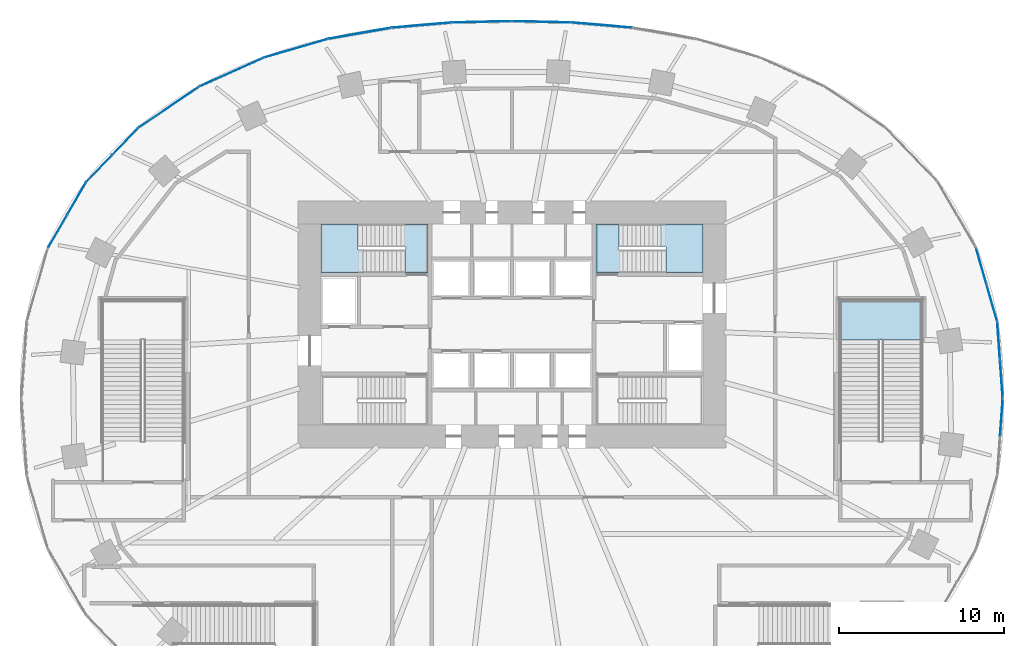
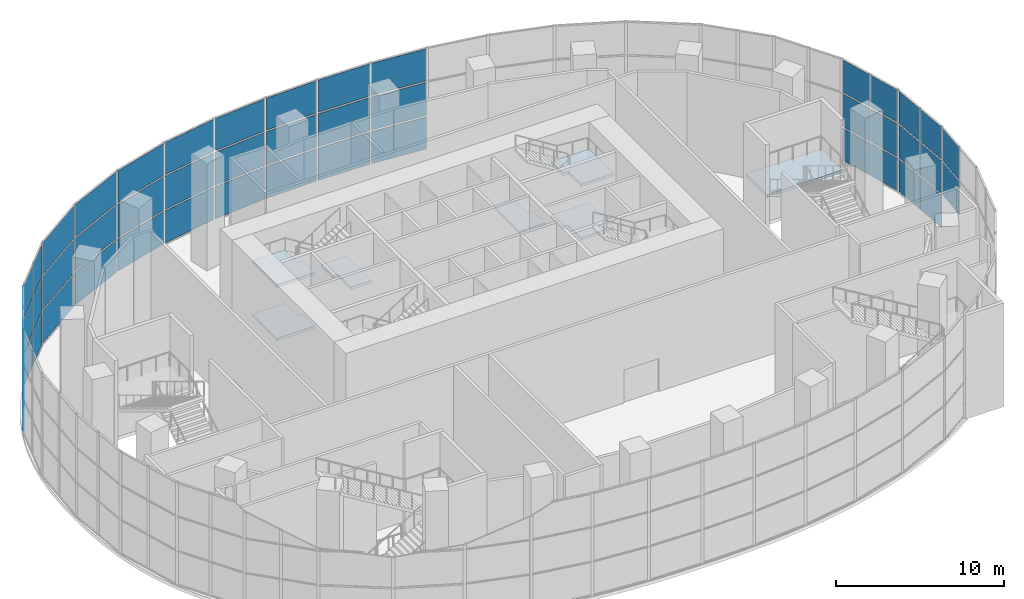
# One storey, part 12 of 22: 50 plates, 7 slabs, 16 elements without a shape of their own.
"""IFC4 building model written with IfcOpenShell, lengths in metres."""

import ifcopenshell
import ifcopenshell.guid

model = None  # the IFC model being written
_history = None  # IfcOwnerHistory: only IFC2X3 demands one
_inside = {}  # id of a spatial element -> (the spatial element, [elements in it])
_under = {}  # id of a project, library or spatial element -> (it, [spatial elements below it])
_declared = {}  # id of a project -> (the project, [libraries it declares])
_typed = {}  # id of a type object -> (the type object, [elements of that type])
_made_of = {}  # id of a material, layer set ... -> (it, [elements and type objects made of it])


def new_model(schema):
    """Start an empty IFC model of exactly this schema.

    Asked for "IFC4X3", IfcOpenShell would pick the latest addendum, in which some entities
    have other attributes; the version numbers below select the first issue.
    IFC2X3 requires an IfcOwnerHistory on every rooted entity: one is made here for all.
    """
    global model, _history
    if schema == "IFC4X3":
        model = ifcopenshell.file(schema_version=(4, 3, 0, 0))
    else:
        model = ifcopenshell.file(schema=schema)
    _inside.clear()
    _under.clear()
    _declared.clear()
    _typed.clear()
    _made_of.clear()
    _history = None
    if model.schema == "IFC2X3":
        org = make("IfcOrganization", Name="unknown")
        user = make(
            "IfcPersonAndOrganization",
            ThePerson=make("IfcPerson", FamilyName="unknown"),
            TheOrganization=org,
        )
        app = make(
            "IfcApplication",
            ApplicationDeveloper=org,
            Version="unknown",
            ApplicationFullName="unknown",
            ApplicationIdentifier="unknown",
        )
        _history = make(
            "IfcOwnerHistory",
            OwningUser=user,
            OwningApplication=app,
            ChangeAction="ADDED",
            CreationDate=0,
        )
    return model


def make(cls, **values):
    """One entity of the class cls with the attributes given. An attribute that is None is left unset."""
    return model.create_entity(
        cls, **{name: value for name, value in values.items() if value is not None}
    )


def rooted(cls, **values):
    """An entity with a GlobalId (a new one), such as an element, a storey or a relation."""
    return make(cls, GlobalId=ifcopenshell.guid.new(), OwnerHistory=_history, **values)


def si_unit(unit_type, name, prefix=None):
    """IfcSIUnit, for example si_unit("LENGTHUNIT", "METRE", prefix="MILLI")."""
    return make("IfcSIUnit", UnitType=unit_type, Prefix=prefix, Name=name)


def assignment(units):
    """IfcUnitAssignment: the units of a project."""
    return None if units is None else make("IfcUnitAssignment", Units=units)


def point(xyz):
    """IfcCartesianPoint."""
    return None if xyz is None else make("IfcCartesianPoint", Coordinates=xyz)


def direction(xyz):
    """IfcDirection."""
    return None if xyz is None else make("IfcDirection", DirectionRatios=xyz)


def frame(location, z_axis=None, x_axis=None):
    """IfcAxis2Placement3D, a coordinate frame: its origin and axes. An axis left out is left unset."""
    return make(
        "IfcAxis2Placement3D",
        Location=point(location),
        Axis=direction(z_axis),
        RefDirection=direction(x_axis),
    )


def frame_2d(location, x_axis=None):
    """IfcAxis2Placement2D, a coordinate frame in the plane: its origin and x axis."""
    return make(
        "IfcAxis2Placement2D", Location=point(location), RefDirection=direction(x_axis)
    )


def origin():
    """The frame at (0, 0, 0) with its axes left unset."""
    return frame((0.0, 0.0, 0.0))


def origin_2d():
    """The frame at (0, 0) in the plane with its x axis left unset."""
    return frame_2d((0.0, 0.0))


def place(relative_to, where):
    """IfcLocalPlacement: puts the frame where relative to a parent placement (None: the world)."""
    return make(
        "IfcLocalPlacement", PlacementRelTo=relative_to, RelativePlacement=where
    )


def context(
    kind, dimensions, precision=None, world=None, true_north=None, identifier=None
):
    """IfcGeometricRepresentationContext, for example the 3D "Model" context."""
    return make(
        "IfcGeometricRepresentationContext",
        ContextIdentifier=identifier,
        ContextType=kind,
        CoordinateSpaceDimension=dimensions,
        Precision=precision,
        WorldCoordinateSystem=world,
        TrueNorth=true_north,
    )


def subcontext(parent, identifier, kind, view, scale=None):
    """IfcGeometricRepresentationSubContext, for example "Body" below "Model"."""
    return make(
        "IfcGeometricRepresentationSubContext",
        ContextIdentifier=identifier,
        ContextType=kind,
        ParentContext=parent,
        TargetScale=scale,
        TargetView=view,
    )


def project(units=None, contexts=None):
    """IfcProject with its units and contexts."""
    return rooted(
        "IfcProject",
        Name="project",
        RepresentationContexts=contexts,
        UnitsInContext=assignment(units),
    )


def spatial(cls, under=None, at=None, **own):
    """A site, building, storey or space (cls), placed at a placement, below another one or the project."""
    s = rooted(cls, ObjectPlacement=at, **own)
    if under is not None:
        _under.setdefault(under.id(), (under, []))[1].append(s)
    return s


def polyline(points):
    """IfcPolyline through the points."""
    return make("IfcPolyline", Points=[point(p) for p in points])


def profile(cls, at=None, kind="AREA", **sizes):
    """A parametric profile (cls). Its sizes go by their IFC names, for example OverallWidth=200.0."""
    return make(cls, ProfileType=kind, Position=at, **sizes)


def rectangle(**sizes):
    """IfcRectangleProfileDef."""
    return profile("IfcRectangleProfileDef", **sizes)


def outline(outer, holes=None, kind="AREA"):
    """IfcArbitraryClosedProfileDef: a profile drawn as a closed curve; with holes, ...WithVoids."""
    if holes is None:
        return make("IfcArbitraryClosedProfileDef", ProfileType=kind, OuterCurve=outer)
    return make(
        "IfcArbitraryProfileDefWithVoids",
        ProfileType=kind,
        OuterCurve=outer,
        InnerCurves=holes,
    )


def extrude(swept, where, along, depth):
    """IfcExtrudedAreaSolid: the profile swept, set in the frame where, extruded along a direction by depth."""
    return make(
        "IfcExtrudedAreaSolid",
        SweptArea=swept,
        Position=where,
        ExtrudedDirection=direction(along),
        Depth=depth,
    )


def shape(context_of_items, identifier, shape_type, items):
    """IfcShapeRepresentation: the items that make up one representation, for example the "Body"."""
    return make(
        "IfcShapeRepresentation",
        ContextOfItems=context_of_items,
        RepresentationIdentifier=identifier,
        RepresentationType=shape_type,
        Items=items,
    )


def material(Name=None, Category=None):
    """IfcMaterial."""
    return make("IfcMaterial", Name=Name, Category=Category)


def layer(
    of_material, thickness, ventilated=None, Name=None, Category=None, Priority=None
):
    """IfcMaterialLayer: one layer of a wall or slab, of a material (None: an air gap)."""
    return make(
        "IfcMaterialLayer",
        Material=of_material,
        LayerThickness=thickness,
        IsVentilated=ventilated,
        Name=Name,
        Category=Category,
        Priority=Priority,
    )


def layer_set(layers, Name=None):
    """IfcMaterialLayerSet."""
    return make("IfcMaterialLayerSet", MaterialLayers=layers, LayerSetName=Name)


def made_of(thing, what):
    """Note that an element or type object is made of a material, layer set ...; save() writes the relation."""
    if what is not None:
        _made_of.setdefault(what.id(), (what, []))[1].append(thing)
    return thing


def type_object(cls, material=None, **own):
    """A type object (cls), such as IfcWallType, which elements share."""
    return made_of(rooted(cls, **own), material)


def element(
    cls,
    number,
    at=None,
    inside=None,
    cuts=None,
    type_object=None,
    material=None,
    context=None,
    identifier="Body",
    shape_type=None,
    held_by="IfcProductDefinitionShape",
    body=None,
    shapes=None,
    **own,
):
    """One element of the class cls, such as IfcWall. Its Tag is "e" and its number.

    at: its placement. inside: the storey or other place that contains it. cuts: it is an
    opening in that element (IfcRelVoidsElement). A single representation is given by context,
    identifier, shape_type and body (its items); several are given by shapes. held_by: the class
    of the entity that holds the representations. save() writes the other relations.
    """
    e = rooted(cls, Tag="e%d" % number, ObjectPlacement=at, **own)
    if body is not None:
        shapes = [shape(context, identifier, shape_type, body)]
    if shapes is not None:
        e.Representation = make(held_by, Representations=shapes)
    if inside is not None:
        _inside.setdefault(inside.id(), (inside, []))[1].append(e)
    if cuts is not None:
        rooted(
            "IfcRelVoidsElement", RelatingBuildingElement=cuts, RelatedOpeningElement=e
        )
    if type_object is not None:
        _typed.setdefault(type_object.id(), (type_object, []))[1].append(e)
    return made_of(e, material)


def aggregate(whole, parts):
    """IfcRelAggregates: a whole, such as a stair, and the parts it consists of."""
    return rooted("IfcRelAggregates", RelatingObject=whole, RelatedObjects=parts)


def save(model, path):
    """Write the relations noted so far, then the file.

    IfcRelAggregates (storeys below a building ...), IfcRelContainedInSpatialStructure (elements
    in a storey), IfcRelDefinesByType, IfcRelAssociatesMaterial and IfcRelDeclares: one each for
    every whole, place, type object, material and project.
    """
    for whole, parts in _under.values():
        aggregate(whole, parts)
    for where, things in _inside.values():
        rooted(
            "IfcRelContainedInSpatialStructure",
            RelatedElements=things,
            RelatingStructure=where,
        )
    for kind, things in _typed.values():
        rooted("IfcRelDefinesByType", RelatedObjects=things, RelatingType=kind)
    for what, things in _made_of.values():
        rooted("IfcRelAssociatesMaterial", RelatedObjects=things, RelatingMaterial=what)
    for by, libraries in _declared.values():
        rooted("IfcRelDeclares", RelatingContext=by, RelatedDefinitions=libraries)
    model.write(path)


model = new_model("IFC4")

# Units and contexts
model_context = context("Model", 3, precision=1e-05, world=origin(), true_north=direction((0.0, 1.0)))
body_context = subcontext(model_context, "Body", "Model", "MODEL_VIEW")
ifc_project = project(units=[si_unit("LENGTHUNIT", "METRE"), si_unit("AREAUNIT", "SQUARE_METRE"), si_unit("VOLUMEUNIT", "CUBIC_METRE"), si_unit("PLANEANGLEUNIT", "RADIAN"), si_unit("MASSUNIT", "GRAM", prefix="KILO")], contexts=[model_context])

# Site, building, storey
site_placement = place(None, origin())
site = spatial("IfcSite", under=ifc_project, at=site_placement, CompositionType="ELEMENT")
building_placement = place(site_placement, origin())
building = spatial("IfcBuilding", under=site, at=building_placement, Name="Rubra Terraces Tower", CompositionType="ELEMENT")
storey_placement = place(building_placement, frame((0.0, 0.0, 15.0)))
storey = spatial("IfcBuildingStorey", under=building, at=storey_placement, Name="L02", CompositionType="ELEMENT", Elevation=15.0)

# Stair, slabs
ifc_material_1 = material(Name="Concrete C40", Category="concrete")
stair_type_1 = type_object("IfcStairType", Name="Core stair 1400", PredefinedType="HALF_TURN_STAIR", material=ifc_material_1)
stair_1_placement = place(storey_placement, origin())
stair_1 = element("IfcStair", 1, at=stair_1_placement, inside=storey, type_object=stair_type_1, Name="L02 Exit stair S2", PredefinedType="HALF_TURN_STAIR")
ifc_layer_1 = layer(ifc_material_1, 0.199951171875)
ifc_layer_set_1 = layer_set([ifc_layer_1], Name="Concrete C40")
slab_type_1 = type_object("IfcSlabType", Name="Core stair landing 200", PredefinedType="LANDING", material=ifc_layer_set_1)
slab_1_placement = place(storey_placement, frame((0.0, 0.0, 1.75)))
slab_1 = element("IfcSlab", 2, at=slab_1_placement, type_object=slab_type_1, Name="S2 landing 1", PredefinedType="LANDING", context=body_context, shape_type="SweptSolid", body=[
    extrude(outline(polyline([(-8.97998046875, 9.050048828125), (-8.97998046875, 7.64990234375), (-9.3798828125, 7.64990234375), (-11.60009765625, 7.64990234375), (-11.60009765625, 10.60009765625), (-9.3798828125, 10.60009765625), (-9.360107421875, 10.60009765625), (-9.35791015625, 10.60009765625), (-9.35791015625, 9.199951171875), (-9.360107421875, 9.199951171875), (-9.360107421875, 9.050048828125), (-8.97998046875, 9.050048828125)])), origin(), (0.0, 0.0, 1.0), 0.199951171875),
])
slab_2_placement = place(storey_placement, frame((0.0, 0.0, 3.699951171875)))
slab_2 = element("IfcSlab", 3, at=slab_2_placement, type_object=slab_type_1, Name="S2 landing 2", PredefinedType="LANDING", context=body_context, shape_type="SweptSolid", body=[
    extrude(outline(polyline([(-6.5, 9.050048828125), (-6.5, 9.199951171875), (-6.8798828125, 9.199951171875), (-6.8798828125, 10.60009765625), (-6.5, 10.60009765625), (-6.47998046875, 10.60009765625), (-5.10009765625, 10.60009765625), (-5.10009765625, 7.64990234375), (-6.47998046875, 7.64990234375), (-6.501953125, 7.64990234375), (-6.501953125, 9.050048828125), (-6.5, 9.050048828125)])), origin(), (0.0, 0.0, 1.0), 0.199951171875),
])
slab_3_placement = place(storey_placement, frame((0.0, 0.0, 5.64990234375)))
slab_3 = element("IfcSlab", 4, at=slab_3_placement, type_object=slab_type_1, Name="S2 landing 3", PredefinedType="LANDING", context=body_context, shape_type="SweptSolid", body=[
    extrude(outline(polyline([(-8.97998046875, 9.050048828125), (-8.97998046875, 7.64990234375), (-9.3798828125, 7.64990234375), (-11.60009765625, 7.64990234375), (-11.60009765625, 10.60009765625), (-9.3798828125, 10.60009765625), (-9.360107421875, 10.60009765625), (-9.35791015625, 10.60009765625), (-9.35791015625, 9.199951171875), (-9.360107421875, 9.199951171875), (-9.360107421875, 9.050048828125), (-8.97998046875, 9.050048828125)])), origin(), (0.0, 0.0, 1.0), 0.2001953125),
])
aggregate(stair_1, [slab_1, slab_2, slab_3])

stair_2_placement = place(storey_placement, origin())
stair_2 = element("IfcStair", 5, at=stair_2_placement, inside=storey, type_object=stair_type_1, Name="L02 Exit stair S3", PredefinedType="HALF_TURN_STAIR")
slab_4_placement = place(storey_placement, frame((0.0, 0.0, 1.75)))
slab_4 = element("IfcSlab", 6, at=slab_4_placement, type_object=slab_type_1, Name="S3 landing 1", PredefinedType="LANDING", context=body_context, shape_type="SweptSolid", body=[
    extrude(outline(polyline([(9.360107421875, 9.050048828125), (9.360107421875, 9.199951171875), (8.97998046875, 9.199951171875), (8.97998046875, 10.60009765625), (9.360107421875, 10.60009765625), (9.3798828125, 10.60009765625), (11.60009765625, 10.60009765625), (11.60009765625, 7.64990234375), (9.3798828125, 7.64990234375), (9.35791015625, 7.64990234375), (9.35791015625, 9.050048828125), (9.360107421875, 9.050048828125)])), origin(), (0.0, 0.0, 1.0), 0.199951171875),
])
slab_5_placement = place(storey_placement, frame((0.0, 0.0, 3.699951171875)))
slab_5 = element("IfcSlab", 7, at=slab_5_placement, type_object=slab_type_1, Name="S3 landing 2", PredefinedType="LANDING", context=body_context, shape_type="SweptSolid", body=[
    extrude(outline(polyline([(6.8798828125, 9.050048828125), (6.8798828125, 7.64990234375), (6.47998046875, 7.64990234375), (5.10009765625, 7.64990234375), (5.10009765625, 10.60009765625), (6.47998046875, 10.60009765625), (6.5, 10.60009765625), (6.501953125, 10.60009765625), (6.501953125, 9.199951171875), (6.5, 9.199951171875), (6.5, 9.050048828125), (6.8798828125, 9.050048828125)])), origin(), (0.0, 0.0, 1.0), 0.199951171875),
])
slab_6_placement = place(storey_placement, frame((0.0, 0.0, 5.64990234375)))
slab_6 = element("IfcSlab", 8, at=slab_6_placement, type_object=slab_type_1, Name="S3 landing 3", PredefinedType="LANDING", context=body_context, shape_type="SweptSolid", body=[
    extrude(outline(polyline([(9.360107421875, 9.050048828125), (9.360107421875, 9.199951171875), (8.97998046875, 9.199951171875), (8.97998046875, 10.60009765625), (9.360107421875, 10.60009765625), (9.3798828125, 10.60009765625), (11.60009765625, 10.60009765625), (11.60009765625, 7.64990234375), (9.3798828125, 7.64990234375), (9.35791015625, 7.64990234375), (9.35791015625, 9.050048828125), (9.360107421875, 9.050048828125)])), origin(), (0.0, 0.0, 1.0), 0.2001953125),
])
aggregate(stair_2, [slab_4, slab_5, slab_6])

# Curtain wall, plates
ifc_material_2 = material(Name="Aluminium and glass", Category="aluminium")
curtain_wall_type = type_object("IfcCurtainWallType", Name="Curtain wall Podium glazing", PredefinedType="NOTDEFINED", material=ifc_material_2)
curtain_wall_1_placement = place(storey_placement, origin())
curtain_wall_1 = element("IfcCurtainWall", 9, at=curtain_wall_1_placement, inside=storey, type_object=curtain_wall_type, Name="L02 glazing bay 1", PredefinedType="NOTDEFINED")
ifc_material_3 = material(Name="Clear glass, laminated", Category="glass")
ifc_layer_2 = layer(ifc_material_3, 0.028076171875)
ifc_layer_set_2 = layer_set([ifc_layer_2], Name="Clear glass, laminated")
plate_type = type_object("IfcPlateType", Name="Podium glazing glass panel 28", PredefinedType="CURTAIN_PANEL", material=ifc_layer_set_2)
plate_1_placement = place(storey_placement, frame((29.739990234375, 1.18017578125, 0.1201171875), z_axis=(0.0, 0.0, 1.0), x_axis=(-0.071792057306, 0.997419621076, 0.0)))
plate_1 = element("IfcPlate", 10, at=plate_1_placement, type_object=plate_type, Name="CW1 panel 1.1", PredefinedType="CURTAIN_PANEL", context=body_context, shape_type="SweptSolid", body=[
    extrude(rectangle(XDim=2.257080078125, YDim=0.028076171875, at=origin_2d()), origin(), (0.0, 0.0, 1.0), 2.336669921875),
])
plate_2_placement = place(storey_placement, frame((29.739990234375, 1.18017578125, 2.57666015625), z_axis=(0.0, 0.0, 1.0), x_axis=(-0.071792057306, 0.997419621076, 0.0)))
plate_2 = element("IfcPlate", 11, at=plate_2_placement, type_object=plate_type, Name="CW1 panel 1.2", PredefinedType="CURTAIN_PANEL", context=body_context, shape_type="SweptSolid", body=[
    extrude(rectangle(XDim=2.257080078125, YDim=0.028076171875, at=origin_2d()), origin(), (0.0, 0.0, 1.0), 2.396484375),
])
plate_3_placement = place(storey_placement, frame((29.739990234375, 1.18017578125, 5.09326171875), z_axis=(0.0, 0.0, 1.0), x_axis=(-0.071792057306, 0.997419621076, 0.0)))
plate_3 = element("IfcPlate", 12, at=plate_3_placement, type_object=plate_type, Name="CW1 panel 1.3", PredefinedType="CURTAIN_PANEL", context=body_context, shape_type="SweptSolid", body=[
    extrude(rectangle(XDim=2.257080078125, YDim=0.028076171875, at=origin_2d()), origin(), (0.0, 0.0, 1.0), 2.336669921875),
])
plate_4_placement = place(storey_placement, frame((29.573486328125, 3.4912109375, 0.1201171875), z_axis=(0.0, 0.0, 1.0), x_axis=(-0.071792057306, 0.997419621076, 0.0)))
plate_4 = element("IfcPlate", 13, at=plate_4_placement, type_object=plate_type, Name="CW1 panel 2.1", PredefinedType="CURTAIN_PANEL", context=body_context, shape_type="SweptSolid", body=[
    extrude(rectangle(XDim=2.257080078125, YDim=0.028076171875, at=origin_2d()), origin(), (0.0, 0.0, 1.0), 2.336669921875),
])
plate_5_placement = place(storey_placement, frame((29.573486328125, 3.4912109375, 2.57666015625), z_axis=(0.0, 0.0, 1.0), x_axis=(-0.071792057306, 0.997419621076, 0.0)))
plate_5 = element("IfcPlate", 14, at=plate_5_placement, type_object=plate_type, Name="CW1 panel 2.2", PredefinedType="CURTAIN_PANEL", context=body_context, shape_type="SweptSolid", body=[
    extrude(rectangle(XDim=2.257080078125, YDim=0.028076171875, at=origin_2d()), origin(), (0.0, 0.0, 1.0), 2.396484375),
])
plate_6_placement = place(storey_placement, frame((29.573486328125, 3.4912109375, 5.09326171875), z_axis=(0.0, 0.0, 1.0), x_axis=(-0.071792057306, 0.997419621076, 0.0)))
plate_6 = element("IfcPlate", 15, at=plate_6_placement, type_object=plate_type, Name="CW1 panel 2.3", PredefinedType="CURTAIN_PANEL", context=body_context, shape_type="SweptSolid", body=[
    extrude(rectangle(XDim=2.257080078125, YDim=0.028076171875, at=origin_2d()), origin(), (0.0, 0.0, 1.0), 2.336669921875),
])
aggregate(curtain_wall_1, [plate_1, plate_2, plate_3, plate_4, plate_5, plate_6])

curtain_wall_2_placement = place(storey_placement, origin())
curtain_wall_2 = element("IfcCurtainWall", 16, at=curtain_wall_2_placement, inside=storey, type_object=curtain_wall_type, Name="L02 glazing bay 2", PredefinedType="NOTDEFINED")
plate_7_placement = place(storey_placement, frame((29.1630859375, 5.801513671875, 0.1201171875), z_axis=(0.0, 0.0, 1.0), x_axis=(-0.276383811798, 0.961047339404, 0.0)))
plate_7 = element("IfcPlate", 17, at=plate_7_placement, type_object=plate_type, Name="CW1 panel 1.1", PredefinedType="CURTAIN_PANEL", context=body_context, shape_type="SweptSolid", body=[
    extrude(rectangle(XDim=2.252685546875, YDim=0.028076171875, at=origin_2d()), origin(), (0.0, 0.0, 1.0), 2.336669921875),
])
plate_8_placement = place(storey_placement, frame((29.1630859375, 5.801513671875, 2.57666015625), z_axis=(0.0, 0.0, 1.0), x_axis=(-0.276383811798, 0.961047339404, 0.0)))
plate_8 = element("IfcPlate", 18, at=plate_8_placement, type_object=plate_type, Name="CW1 panel 1.2", PredefinedType="CURTAIN_PANEL", context=body_context, shape_type="SweptSolid", body=[
    extrude(rectangle(XDim=2.252685546875, YDim=0.028076171875, at=origin_2d()), origin(), (0.0, 0.0, 1.0), 2.396484375),
])
plate_9_placement = place(storey_placement, frame((29.1630859375, 5.801513671875, 5.09326171875), z_axis=(0.0, 0.0, 1.0), x_axis=(-0.276383811798, 0.961047339404, 0.0)))
plate_9 = element("IfcPlate", 19, at=plate_9_placement, type_object=plate_type, Name="CW1 panel 1.3", PredefinedType="CURTAIN_PANEL", context=body_context, shape_type="SweptSolid", body=[
    extrude(rectangle(XDim=2.252685546875, YDim=0.028076171875, at=origin_2d()), origin(), (0.0, 0.0, 1.0), 2.336669921875),
])
plate_10_placement = place(storey_placement, frame((28.523681640625, 8.024169921875, 0.1201171875), z_axis=(0.0, 0.0, 1.0), x_axis=(-0.276383811798, 0.961047339404, 0.0)))
plate_10 = element("IfcPlate", 20, at=plate_10_placement, type_object=plate_type, Name="CW1 panel 2.1", PredefinedType="CURTAIN_PANEL", context=body_context, shape_type="SweptSolid", body=[
    extrude(rectangle(XDim=2.252685546875, YDim=0.028076171875, at=origin_2d()), origin(), (0.0, 0.0, 1.0), 2.336669921875),
])
plate_11_placement = place(storey_placement, frame((28.523681640625, 8.024169921875, 2.57666015625), z_axis=(0.0, 0.0, 1.0), x_axis=(-0.276383811798, 0.961047339404, 0.0)))
plate_11 = element("IfcPlate", 21, at=plate_11_placement, type_object=plate_type, Name="CW1 panel 2.2", PredefinedType="CURTAIN_PANEL", context=body_context, shape_type="SweptSolid", body=[
    extrude(rectangle(XDim=2.252685546875, YDim=0.028076171875, at=origin_2d()), origin(), (0.0, 0.0, 1.0), 2.396484375),
])
plate_12_placement = place(storey_placement, frame((28.523681640625, 8.024169921875, 5.09326171875), z_axis=(0.0, 0.0, 1.0), x_axis=(-0.276383811798, 0.961047339404, 0.0)))
plate_12 = element("IfcPlate", 22, at=plate_12_placement, type_object=plate_type, Name="CW1 panel 2.3", PredefinedType="CURTAIN_PANEL", context=body_context, shape_type="SweptSolid", body=[
    extrude(rectangle(XDim=2.252685546875, YDim=0.028076171875, at=origin_2d()), origin(), (0.0, 0.0, 1.0), 2.336669921875),
])
aggregate(curtain_wall_2, [plate_7, plate_8, plate_9, plate_10, plate_11, plate_12])

curtain_wall_3_placement = place(storey_placement, origin())
curtain_wall_3 = element("IfcCurtainWall", 23, at=curtain_wall_3_placement, inside=storey, type_object=curtain_wall_type, Name="L02 glazing bay 9", PredefinedType="NOTDEFINED")
plate_13_placement = place(storey_placement, frame((5.47998046875, 22.686279296875, 0.1201171875), z_axis=(0.0, 0.0, 1.0), x_axis=(-0.996260697637, 0.08639804595, 0.0)))
plate_13 = element("IfcPlate", 24, at=plate_13_placement, type_object=plate_type, Name="CW1 panel 1.1", PredefinedType="CURTAIN_PANEL", context=body_context, shape_type="SweptSolid", body=[
    extrude(rectangle(XDim=3.60693359375, YDim=0.028076171875, at=origin_2d()), origin(), (0.0, 0.0, 1.0), 2.336669921875),
])
plate_14_placement = place(storey_placement, frame((5.47998046875, 22.686279296875, 2.57666015625), z_axis=(0.0, 0.0, 1.0), x_axis=(-0.996260697637, 0.08639804595, 0.0)))
plate_14 = element("IfcPlate", 25, at=plate_14_placement, type_object=plate_type, Name="CW1 panel 1.2", PredefinedType="CURTAIN_PANEL", context=body_context, shape_type="SweptSolid", body=[
    extrude(rectangle(XDim=3.60693359375, YDim=0.028076171875, at=origin_2d()), origin(), (0.0, 0.0, 1.0), 2.396484375),
])
plate_15_placement = place(storey_placement, frame((5.47998046875, 22.686279296875, 5.09326171875), z_axis=(0.0, 0.0, 1.0), x_axis=(-0.996260697637, 0.08639804595, 0.0)))
plate_15 = element("IfcPlate", 26, at=plate_15_placement, type_object=plate_type, Name="CW1 panel 1.3", PredefinedType="CURTAIN_PANEL", context=body_context, shape_type="SweptSolid", body=[
    extrude(rectangle(XDim=3.60693359375, YDim=0.028076171875, at=origin_2d()), origin(), (0.0, 0.0, 1.0), 2.336669921875),
])
aggregate(curtain_wall_3, [plate_13, plate_14, plate_15])

curtain_wall_4_placement = place(storey_placement, origin())
curtain_wall_4 = element("IfcCurtainWall", 27, at=curtain_wall_4_placement, inside=storey, type_object=curtain_wall_type, Name="L02 glazing bay 10", PredefinedType="NOTDEFINED")
plate_16_placement = place(storey_placement, frame((1.8134765625, 22.885986328125, 0.1201171875), z_axis=(0.0, 0.0, 1.0), x_axis=(-0.999769221365, 0.021482644428, 0.0)))
plate_16 = element("IfcPlate", 28, at=plate_16_placement, type_object=plate_type, Name="CW1 panel 1.1", PredefinedType="CURTAIN_PANEL", context=body_context, shape_type="SweptSolid", body=[
    extrude(rectangle(XDim=3.5107421875, YDim=0.028076171875, at=origin_2d()), origin(), (0.0, 0.0, 1.0), 2.336669921875),
])
plate_17_placement = place(storey_placement, frame((1.8134765625, 22.885986328125, 2.57666015625), z_axis=(0.0, 0.0, 1.0), x_axis=(-0.999769221365, 0.021482644428, 0.0)))
plate_17 = element("IfcPlate", 29, at=plate_17_placement, type_object=plate_type, Name="CW1 panel 1.2", PredefinedType="CURTAIN_PANEL", context=body_context, shape_type="SweptSolid", body=[
    extrude(rectangle(XDim=3.5107421875, YDim=0.028076171875, at=origin_2d()), origin(), (0.0, 0.0, 1.0), 2.396484375),
])
plate_18_placement = place(storey_placement, frame((1.8134765625, 22.885986328125, 5.09326171875), z_axis=(0.0, 0.0, 1.0), x_axis=(-0.999769221365, 0.021482644428, 0.0)))
plate_18 = element("IfcPlate", 30, at=plate_18_placement, type_object=plate_type, Name="CW1 panel 1.3", PredefinedType="CURTAIN_PANEL", context=body_context, shape_type="SweptSolid", body=[
    extrude(rectangle(XDim=3.5107421875, YDim=0.028076171875, at=origin_2d()), origin(), (0.0, 0.0, 1.0), 2.336669921875),
])
aggregate(curtain_wall_4, [plate_16, plate_17, plate_18])

curtain_wall_5_placement = place(storey_placement, origin())
curtain_wall_5 = element("IfcCurtainWall", 31, at=curtain_wall_5_placement, inside=storey, type_object=curtain_wall_type, Name="L02 glazing bay 11", PredefinedType="NOTDEFINED")
plate_19_placement = place(storey_placement, frame((-1.8134765625, 22.885986328125, 0.1201171875), z_axis=(0.0, 0.0, 1.0), x_axis=(-0.999769221365, -0.021482644428, 0.0)))
plate_19 = element("IfcPlate", 32, at=plate_19_placement, type_object=plate_type, Name="CW1 panel 1.1", PredefinedType="CURTAIN_PANEL", context=body_context, shape_type="SweptSolid", body=[
    extrude(rectangle(XDim=3.5107421875, YDim=0.028076171875, at=origin_2d()), origin(), (0.0, 0.0, 1.0), 2.336669921875),
])
plate_20_placement = place(storey_placement, frame((-1.8134765625, 22.885986328125, 2.57666015625), z_axis=(0.0, 0.0, 1.0), x_axis=(-0.999769221365, -0.021482644428, 0.0)))
plate_20 = element("IfcPlate", 33, at=plate_20_placement, type_object=plate_type, Name="CW1 panel 1.2", PredefinedType="CURTAIN_PANEL", context=body_context, shape_type="SweptSolid", body=[
    extrude(rectangle(XDim=3.5107421875, YDim=0.028076171875, at=origin_2d()), origin(), (0.0, 0.0, 1.0), 2.396484375),
])
plate_21_placement = place(storey_placement, frame((-1.8134765625, 22.885986328125, 5.09326171875), z_axis=(0.0, 0.0, 1.0), x_axis=(-0.999769221365, -0.021482644428, 0.0)))
plate_21 = element("IfcPlate", 34, at=plate_21_placement, type_object=plate_type, Name="CW1 panel 1.3", PredefinedType="CURTAIN_PANEL", context=body_context, shape_type="SweptSolid", body=[
    extrude(rectangle(XDim=3.5107421875, YDim=0.028076171875, at=origin_2d()), origin(), (0.0, 0.0, 1.0), 2.336669921875),
])
aggregate(curtain_wall_5, [plate_19, plate_20, plate_21])

curtain_wall_6_placement = place(storey_placement, origin())
curtain_wall_6 = element("IfcCurtainWall", 35, at=curtain_wall_6_placement, inside=storey, type_object=curtain_wall_type, Name="L02 glazing bay 12", PredefinedType="NOTDEFINED")
plate_22_placement = place(storey_placement, frame((-5.47998046875, 22.686279296875, 0.1201171875), z_axis=(0.0, 0.0, 1.0), x_axis=(-0.996260697637, -0.08639804595, 0.0)))
plate_22 = element("IfcPlate", 36, at=plate_22_placement, type_object=plate_type, Name="CW1 panel 1.1", PredefinedType="CURTAIN_PANEL", context=body_context, shape_type="SweptSolid", body=[
    extrude(rectangle(XDim=3.60693359375, YDim=0.028076171875, at=origin_2d()), origin(), (0.0, 0.0, 1.0), 2.336669921875),
])
plate_23_placement = place(storey_placement, frame((-5.47998046875, 22.686279296875, 2.57666015625), z_axis=(0.0, 0.0, 1.0), x_axis=(-0.996260697637, -0.08639804595, 0.0)))
plate_23 = element("IfcPlate", 37, at=plate_23_placement, type_object=plate_type, Name="CW1 panel 1.2", PredefinedType="CURTAIN_PANEL", context=body_context, shape_type="SweptSolid", body=[
    extrude(rectangle(XDim=3.60693359375, YDim=0.028076171875, at=origin_2d()), origin(), (0.0, 0.0, 1.0), 2.396484375),
])
plate_24_placement = place(storey_placement, frame((-5.47998046875, 22.686279296875, 5.09326171875), z_axis=(0.0, 0.0, 1.0), x_axis=(-0.996260697637, -0.08639804595, 0.0)))
plate_24 = element("IfcPlate", 38, at=plate_24_placement, type_object=plate_type, Name="CW1 panel 1.3", PredefinedType="CURTAIN_PANEL", context=body_context, shape_type="SweptSolid", body=[
    extrude(rectangle(XDim=3.60693359375, YDim=0.028076171875, at=origin_2d()), origin(), (0.0, 0.0, 1.0), 2.336669921875),
])
aggregate(curtain_wall_6, [plate_22, plate_23, plate_24])

curtain_wall_7_placement = place(storey_placement, origin())
curtain_wall_7 = element("IfcCurtainWall", 39, at=curtain_wall_7_placement, inside=storey, type_object=curtain_wall_type, Name="L02 glazing bay 13", PredefinedType="NOTDEFINED")
plate_25_placement = place(storey_placement, frame((-9.2451171875, 22.190185546875, 0.1201171875), z_axis=(0.0, 0.0, 1.0), x_axis=(-0.984953952909, -0.172816985997, 0.0)))
plate_25 = element("IfcPlate", 40, at=plate_25_placement, type_object=plate_type, Name="CW1 panel 1.1", PredefinedType="CURTAIN_PANEL", context=body_context, shape_type="SweptSolid", body=[
    extrude(rectangle(XDim=3.7685546875, YDim=0.028076171875, at=origin_2d()), origin(), (0.0, 0.0, 1.0), 2.336669921875),
])
plate_26_placement = place(storey_placement, frame((-9.2451171875, 22.190185546875, 2.57666015625), z_axis=(0.0, 0.0, 1.0), x_axis=(-0.984953952909, -0.172816985997, 0.0)))
plate_26 = element("IfcPlate", 41, at=plate_26_placement, type_object=plate_type, Name="CW1 panel 1.2", PredefinedType="CURTAIN_PANEL", context=body_context, shape_type="SweptSolid", body=[
    extrude(rectangle(XDim=3.7685546875, YDim=0.028076171875, at=origin_2d()), origin(), (0.0, 0.0, 1.0), 2.396484375),
])
plate_27_placement = place(storey_placement, frame((-9.2451171875, 22.190185546875, 5.09326171875), z_axis=(0.0, 0.0, 1.0), x_axis=(-0.984953952909, -0.172816985997, 0.0)))
plate_27 = element("IfcPlate", 42, at=plate_27_placement, type_object=plate_type, Name="CW1 panel 1.3", PredefinedType="CURTAIN_PANEL", context=body_context, shape_type="SweptSolid", body=[
    extrude(rectangle(XDim=3.7685546875, YDim=0.028076171875, at=origin_2d()), origin(), (0.0, 0.0, 1.0), 2.336669921875),
])
aggregate(curtain_wall_7, [plate_25, plate_26, plate_27])

curtain_wall_8_placement = place(storey_placement, origin())
curtain_wall_8 = element("IfcCurtainWall", 43, at=curtain_wall_8_placement, inside=storey, type_object=curtain_wall_type, Name="L02 glazing bay 14", PredefinedType="NOTDEFINED")
plate_28_placement = place(storey_placement, frame((-13.115966796875, 21.284423828125, 0.1201171875), z_axis=(0.0, 0.0, 1.0), x_axis=(-0.96017502931, -0.279399200229, 0.0)))
plate_28 = element("IfcPlate", 44, at=plate_28_placement, type_object=plate_type, Name="CW1 panel 1.1", PredefinedType="CURTAIN_PANEL", context=body_context, shape_type="SweptSolid", body=[
    extrude(rectangle(XDim=3.970947265625, YDim=0.028076171875, at=origin_2d()), origin(), (0.0, 0.0, 1.0), 2.336669921875),
])
plate_29_placement = place(storey_placement, frame((-13.115966796875, 21.284423828125, 2.57666015625), z_axis=(0.0, 0.0, 1.0), x_axis=(-0.96017502931, -0.279399200229, 0.0)))
plate_29 = element("IfcPlate", 45, at=plate_29_placement, type_object=plate_type, Name="CW1 panel 1.2", PredefinedType="CURTAIN_PANEL", context=body_context, shape_type="SweptSolid", body=[
    extrude(rectangle(XDim=3.970947265625, YDim=0.028076171875, at=origin_2d()), origin(), (0.0, 0.0, 1.0), 2.396484375),
])
plate_30_placement = place(storey_placement, frame((-13.115966796875, 21.284423828125, 5.09326171875), z_axis=(0.0, 0.0, 1.0), x_axis=(-0.96017502931, -0.279399200229, 0.0)))
plate_30 = element("IfcPlate", 46, at=plate_30_placement, type_object=plate_type, Name="CW1 panel 1.3", PredefinedType="CURTAIN_PANEL", context=body_context, shape_type="SweptSolid", body=[
    extrude(rectangle(XDim=3.970947265625, YDim=0.028076171875, at=origin_2d()), origin(), (0.0, 0.0, 1.0), 2.336669921875),
])
aggregate(curtain_wall_8, [plate_28, plate_29, plate_30])

curtain_wall_9_placement = place(storey_placement, origin())
curtain_wall_9 = element("IfcCurtainWall", 47, at=curtain_wall_9_placement, inside=storey, type_object=curtain_wall_type, Name="L02 glazing bay 15", PredefinedType="NOTDEFINED")
plate_31_placement = place(storey_placement, frame((-17.03271484375, 19.837158203125, 0.1201171875), z_axis=(0.0, 0.0, 1.0), x_axis=(-0.912551215254, -0.4089624427, 0.0)))
plate_31 = element("IfcPlate", 48, at=plate_31_placement, type_object=plate_type, Name="CW1 panel 1.1", PredefinedType="CURTAIN_PANEL", context=body_context, shape_type="SweptSolid", body=[
    extrude(rectangle(XDim=4.18115234375, YDim=0.028076171875, at=origin_2d()), origin(), (0.0, 0.0, 1.0), 2.336669921875),
])
plate_32_placement = place(storey_placement, frame((-17.03271484375, 19.837158203125, 2.57666015625), z_axis=(0.0, 0.0, 1.0), x_axis=(-0.912551215254, -0.4089624427, 0.0)))
plate_32 = element("IfcPlate", 49, at=plate_32_placement, type_object=plate_type, Name="CW1 panel 1.2", PredefinedType="CURTAIN_PANEL", context=body_context, shape_type="SweptSolid", body=[
    extrude(rectangle(XDim=4.18115234375, YDim=0.028076171875, at=origin_2d()), origin(), (0.0, 0.0, 1.0), 2.396484375),
])
plate_33_placement = place(storey_placement, frame((-17.03271484375, 19.837158203125, 5.09326171875), z_axis=(0.0, 0.0, 1.0), x_axis=(-0.912551215254, -0.4089624427, 0.0)))
plate_33 = element("IfcPlate", 50, at=plate_33_placement, type_object=plate_type, Name="CW1 panel 1.3", PredefinedType="CURTAIN_PANEL", context=body_context, shape_type="SweptSolid", body=[
    extrude(rectangle(XDim=4.18115234375, YDim=0.028076171875, at=origin_2d()), origin(), (0.0, 0.0, 1.0), 2.336669921875),
])
aggregate(curtain_wall_9, [plate_31, plate_32, plate_33])

curtain_wall_10_placement = place(storey_placement, origin())
curtain_wall_10 = element("IfcCurtainWall", 51, at=curtain_wall_10_placement, inside=storey, type_object=curtain_wall_type, Name="L02 glazing bay 16", PredefinedType="NOTDEFINED")
plate_34_placement = place(storey_placement, frame((-20.840576171875, 17.711181640625, 0.1201171875), z_axis=(0.0, 0.0, 1.0), x_axis=(-0.828980654031, -0.55927727939, 0.0)))
plate_34 = element("IfcPlate", 52, at=plate_34_placement, type_object=plate_type, Name="CW1 panel 1.1", PredefinedType="CURTAIN_PANEL", context=body_context, shape_type="SweptSolid", body=[
    extrude(rectangle(XDim=4.35888671875, YDim=0.028076171875, at=origin_2d()), origin(), (0.0, 0.0, 1.0), 2.336669921875),
])
plate_35_placement = place(storey_placement, frame((-20.840576171875, 17.711181640625, 2.57666015625), z_axis=(0.0, 0.0, 1.0), x_axis=(-0.828980654031, -0.55927727939, 0.0)))
plate_35 = element("IfcPlate", 53, at=plate_35_placement, type_object=plate_type, Name="CW1 panel 1.2", PredefinedType="CURTAIN_PANEL", context=body_context, shape_type="SweptSolid", body=[
    extrude(rectangle(XDim=4.35888671875, YDim=0.028076171875, at=origin_2d()), origin(), (0.0, 0.0, 1.0), 2.396484375),
])
plate_36_placement = place(storey_placement, frame((-20.840576171875, 17.711181640625, 5.09326171875), z_axis=(0.0, 0.0, 1.0), x_axis=(-0.828980654031, -0.55927727939, 0.0)))
plate_36 = element("IfcPlate", 54, at=plate_36_placement, type_object=plate_type, Name="CW1 panel 1.3", PredefinedType="CURTAIN_PANEL", context=body_context, shape_type="SweptSolid", body=[
    extrude(rectangle(XDim=4.35888671875, YDim=0.028076171875, at=origin_2d()), origin(), (0.0, 0.0, 1.0), 2.336669921875),
])
aggregate(curtain_wall_10, [plate_34, plate_35, plate_36])

curtain_wall_11_placement = place(storey_placement, origin())
curtain_wall_11 = element("IfcCurtainWall", 55, at=curtain_wall_11_placement, inside=storey, type_object=curtain_wall_type, Name="L02 glazing bay 17", PredefinedType="NOTDEFINED")
plate_37_placement = place(storey_placement, frame((-23.4931640625, 15.630859375, 0.1201171875), z_axis=(0.0, 0.0, 1.0), x_axis=(-0.69415569917, -0.71982488517, 0.0)))
plate_37 = element("IfcPlate", 56, at=plate_37_placement, type_object=plate_type, Name="CW1 panel 1.1", PredefinedType="CURTAIN_PANEL", context=body_context, shape_type="SweptSolid", body=[
    extrude(rectangle(XDim=2.20849609375, YDim=0.028076171875, at=origin_2d()), origin(), (0.0, 0.0, 1.0), 2.336669921875),
])
plate_38_placement = place(storey_placement, frame((-23.4931640625, 15.630859375, 2.57666015625), z_axis=(0.0, 0.0, 1.0), x_axis=(-0.69415569917, -0.71982488517, 0.0)))
plate_38 = element("IfcPlate", 57, at=plate_38_placement, type_object=plate_type, Name="CW1 panel 1.2", PredefinedType="CURTAIN_PANEL", context=body_context, shape_type="SweptSolid", body=[
    extrude(rectangle(XDim=2.20849609375, YDim=0.028076171875, at=origin_2d()), origin(), (0.0, 0.0, 1.0), 2.396484375),
])
plate_39_placement = place(storey_placement, frame((-23.4931640625, 15.630859375, 5.09326171875), z_axis=(0.0, 0.0, 1.0), x_axis=(-0.69415569917, -0.71982488517, 0.0)))
plate_39 = element("IfcPlate", 58, at=plate_39_placement, type_object=plate_type, Name="CW1 panel 1.3", PredefinedType="CURTAIN_PANEL", context=body_context, shape_type="SweptSolid", body=[
    extrude(rectangle(XDim=2.20849609375, YDim=0.028076171875, at=origin_2d()), origin(), (0.0, 0.0, 1.0), 2.336669921875),
])
plate_40_placement = place(storey_placement, frame((-25.06787109375, 13.998046875, 0.1201171875), z_axis=(0.0, 0.0, 1.0), x_axis=(-0.69415569917, -0.71982488517, 0.0)))
plate_40 = element("IfcPlate", 59, at=plate_40_placement, type_object=plate_type, Name="CW1 panel 2.1", PredefinedType="CURTAIN_PANEL", context=body_context, shape_type="SweptSolid", body=[
    extrude(rectangle(XDim=2.20849609375, YDim=0.028076171875, at=origin_2d()), origin(), (0.0, 0.0, 1.0), 2.336669921875),
])
plate_41_placement = place(storey_placement, frame((-25.06787109375, 13.998046875, 2.57666015625), z_axis=(0.0, 0.0, 1.0), x_axis=(-0.69415569917, -0.71982488517, 0.0)))
plate_41 = element("IfcPlate", 60, at=plate_41_placement, type_object=plate_type, Name="CW1 panel 2.2", PredefinedType="CURTAIN_PANEL", context=body_context, shape_type="SweptSolid", body=[
    extrude(rectangle(XDim=2.20849609375, YDim=0.028076171875, at=origin_2d()), origin(), (0.0, 0.0, 1.0), 2.396484375),
])
plate_42_placement = place(storey_placement, frame((-25.06787109375, 13.998046875, 5.09326171875), z_axis=(0.0, 0.0, 1.0), x_axis=(-0.69415569917, -0.71982488517, 0.0)))
plate_42 = element("IfcPlate", 61, at=plate_42_placement, type_object=plate_type, Name="CW1 panel 2.3", PredefinedType="CURTAIN_PANEL", context=body_context, shape_type="SweptSolid", body=[
    extrude(rectangle(XDim=2.20849609375, YDim=0.028076171875, at=origin_2d()), origin(), (0.0, 0.0, 1.0), 2.336669921875),
])
aggregate(curtain_wall_11, [plate_37, plate_38, plate_39, plate_40, plate_41, plate_42])

curtain_wall_12_placement = place(storey_placement, origin())
curtain_wall_12 = element("IfcCurtainWall", 62, at=curtain_wall_12_placement, inside=storey, type_object=curtain_wall_type, Name="L02 glazing bay 18", PredefinedType="NOTDEFINED")
plate_43_placement = place(storey_placement, frame((-26.45703125, 12.154541015625, 0.1201171875), z_axis=(0.0, 0.0, 1.0), x_axis=(-0.502094070187, -0.864813011398, 0.0)))
plate_43 = element("IfcPlate", 63, at=plate_43_placement, type_object=plate_type, Name="CW1 panel 1.1", PredefinedType="CURTAIN_PANEL", context=body_context, shape_type="SweptSolid", body=[
    extrude(rectangle(XDim=2.23828125, YDim=0.028076171875, at=origin_2d()), origin(), (0.0, 0.0, 1.0), 2.336669921875),
])
plate_44_placement = place(storey_placement, frame((-26.45703125, 12.154541015625, 2.57666015625), z_axis=(0.0, 0.0, 1.0), x_axis=(-0.502094070187, -0.864813011398, 0.0)))
plate_44 = element("IfcPlate", 64, at=plate_44_placement, type_object=plate_type, Name="CW1 panel 1.2", PredefinedType="CURTAIN_PANEL", context=body_context, shape_type="SweptSolid", body=[
    extrude(rectangle(XDim=2.23828125, YDim=0.028076171875, at=origin_2d()), origin(), (0.0, 0.0, 1.0), 2.396484375),
])
plate_45_placement = place(storey_placement, frame((-26.45703125, 12.154541015625, 5.09326171875), z_axis=(0.0, 0.0, 1.0), x_axis=(-0.502094070187, -0.864813011398, 0.0)))
plate_45 = element("IfcPlate", 65, at=plate_45_placement, type_object=plate_type, Name="CW1 panel 1.3", PredefinedType="CURTAIN_PANEL", context=body_context, shape_type="SweptSolid", body=[
    extrude(rectangle(XDim=2.23828125, YDim=0.028076171875, at=origin_2d()), origin(), (0.0, 0.0, 1.0), 2.336669921875),
])
plate_46_placement = place(storey_placement, frame((-27.611083984375, 10.1669921875, 0.1201171875), z_axis=(0.0, 0.0, 1.0), x_axis=(-0.502094070187, -0.864813011398, 0.0)))
plate_46 = element("IfcPlate", 66, at=plate_46_placement, type_object=plate_type, Name="CW1 panel 2.1", PredefinedType="CURTAIN_PANEL", context=body_context, shape_type="SweptSolid", body=[
    extrude(rectangle(XDim=2.23828125, YDim=0.028076171875, at=origin_2d()), origin(), (0.0, 0.0, 1.0), 2.336669921875),
])
plate_47_placement = place(storey_placement, frame((-27.611083984375, 10.1669921875, 2.57666015625), z_axis=(0.0, 0.0, 1.0), x_axis=(-0.502094070187, -0.864813011398, 0.0)))
plate_47 = element("IfcPlate", 67, at=plate_47_placement, type_object=plate_type, Name="CW1 panel 2.2", PredefinedType="CURTAIN_PANEL", context=body_context, shape_type="SweptSolid", body=[
    extrude(rectangle(XDim=2.23828125, YDim=0.028076171875, at=origin_2d()), origin(), (0.0, 0.0, 1.0), 2.396484375),
])
plate_48_placement = place(storey_placement, frame((-27.611083984375, 10.1669921875, 5.09326171875), z_axis=(0.0, 0.0, 1.0), x_axis=(-0.502094070187, -0.864813011398, 0.0)))
plate_48 = element("IfcPlate", 68, at=plate_48_placement, type_object=plate_type, Name="CW1 panel 2.3", PredefinedType="CURTAIN_PANEL", context=body_context, shape_type="SweptSolid", body=[
    extrude(rectangle(XDim=2.23828125, YDim=0.028076171875, at=origin_2d()), origin(), (0.0, 0.0, 1.0), 2.336669921875),
])
aggregate(curtain_wall_12, [plate_43, plate_44, plate_45, plate_46, plate_47, plate_48])

curtain_wall_13_placement = place(storey_placement, origin())
curtain_wall_13 = element("IfcCurtainWall", 69, at=curtain_wall_13_placement, inside=storey, type_object=curtain_wall_type, Name="L02 glazing bay 40", PredefinedType="NOTDEFINED")
plate_49_placement = place(storey_placement, frame((29.739990234375, -1.18017578125, 2.57666015625), z_axis=(0.0, 0.0, 1.0), x_axis=(0.071792057306, 0.997419621076, 0.0)))
plate_49 = element("IfcPlate", 70, at=plate_49_placement, type_object=plate_type, Name="CW1 panel 2.2", PredefinedType="CURTAIN_PANEL", context=body_context, shape_type="SweptSolid", body=[
    extrude(rectangle(XDim=2.257080078125, YDim=0.028076171875, at=origin_2d()), origin(), (0.0, 0.0, 1.0), 2.396484375),
])
plate_50_placement = place(storey_placement, frame((29.739990234375, -1.18017578125, 5.09326171875), z_axis=(0.0, 0.0, 1.0), x_axis=(0.071792057306, 0.997419621076, 0.0)))
plate_50 = element("IfcPlate", 71, at=plate_50_placement, type_object=plate_type, Name="CW1 panel 2.3", PredefinedType="CURTAIN_PANEL", context=body_context, shape_type="SweptSolid", body=[
    extrude(rectangle(XDim=2.257080078125, YDim=0.028076171875, at=origin_2d()), origin(), (0.0, 0.0, 1.0), 2.336669921875),
])
aggregate(curtain_wall_13, [plate_49, plate_50])

# Stair, slab
ifc_material_4 = material(Name="Concrete C40/50", Category="concrete")
stair_type_2 = type_object("IfcStairType", Name="Public stair", PredefinedType="HALF_TURN_STAIR", material=ifc_material_4)
stair_3_placement = place(storey_placement, origin())
stair_3 = element("IfcStair", 72, at=stair_3_placement, inside=storey, type_object=stair_type_2, Name="L02 public stair PS2", PredefinedType="HALF_TURN_STAIR")
ifc_layer_3 = layer(ifc_material_4, 0.199951171875)
ifc_layer_set_3 = layer_set([ifc_layer_3], Name="Concrete C40/50")
slab_type_2 = type_object("IfcSlabType", Name="Public stair landing 200", PredefinedType="LANDING", material=ifc_layer_set_3)
slab_7_placement = place(storey_placement, frame((0.0, 0.0, 3.699951171875)))
slab_7 = element("IfcSlab", 73, at=slab_7_placement, type_object=slab_type_2, Name="PS2 landing 1", PredefinedType="LANDING", context=body_context, shape_type="SweptSolid", body=[
    extrude(outline(polyline([(19.800048828125, 3.56005859375), (25.050048828125, 3.56005859375), (25.050048828125, 6.110107421875), (19.800048828125, 6.110107421875), (19.800048828125, 3.56005859375)])), origin(), (0.0, 0.0, 1.0), 0.199951171875),
])
aggregate(stair_3, [slab_7])

save(model, "model.ifc")
